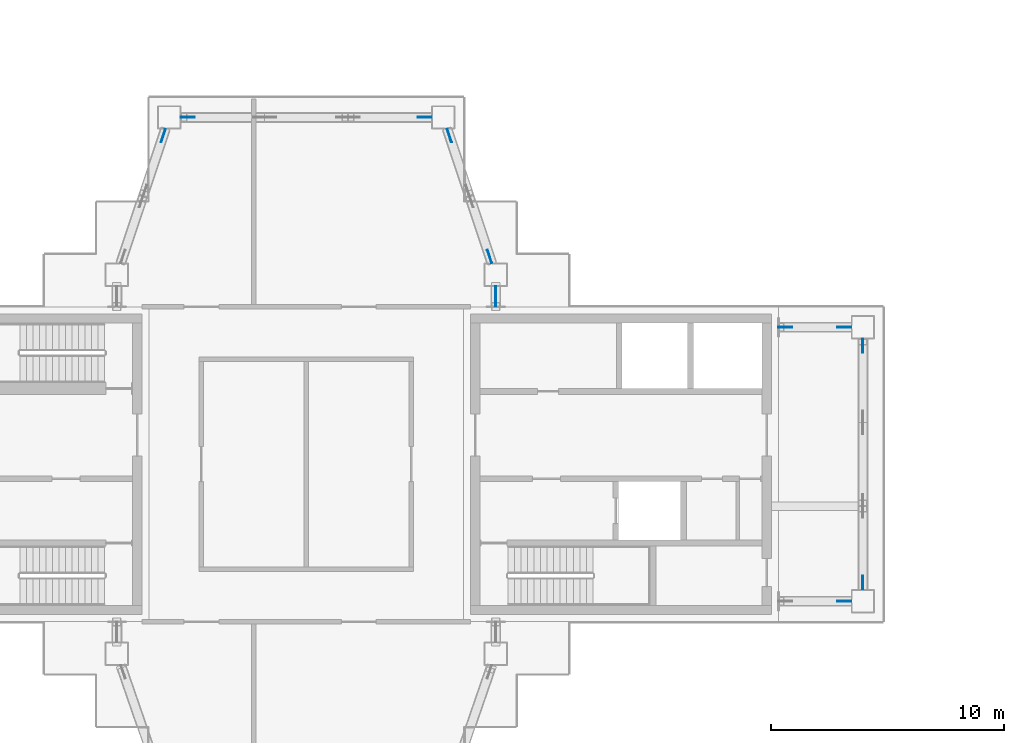
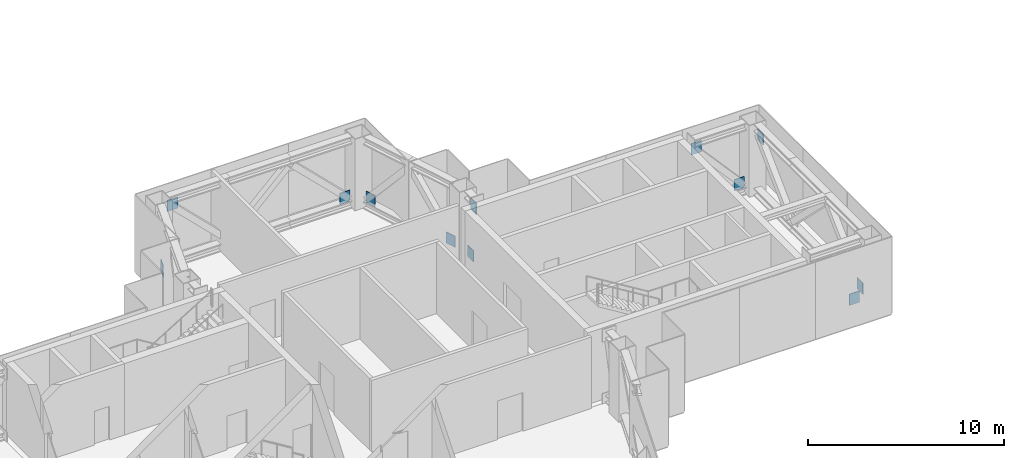
# One storey, part 14 of 18: 12 discrete accessories.
"""IFC4 building model written with IfcOpenShell, lengths in metres."""

from ifc_helpers import new_model, si_unit, direction, frame, origin, origin_2d, place, context, subcontext, project, spatial, rectangle, extrude, material, layer, layer_set, type_object, element, save


model = new_model("IFC4")

# Units and contexts
model_context = context("Model", 3, precision=1e-05, world=origin(), true_north=direction((0.0, 1.0)))
body_context = subcontext(model_context, "Body", "Model", "MODEL_VIEW")
ifc_project = project(units=[si_unit("LENGTHUNIT", "METRE"), si_unit("AREAUNIT", "SQUARE_METRE"), si_unit("VOLUMEUNIT", "CUBIC_METRE"), si_unit("PLANEANGLEUNIT", "RADIAN"), si_unit("MASSUNIT", "GRAM", prefix="KILO")], contexts=[model_context])

# Site, building, storey
site_placement = place(None, origin())
site = spatial("IfcSite", under=ifc_project, at=site_placement, CompositionType="ELEMENT")
building_placement = place(site_placement, origin())
building = spatial("IfcBuilding", under=site, at=building_placement, Name="Shamsa Quay Exchange Towers", CompositionType="ELEMENT")
storey_placement = place(building_placement, frame((0.0, 0.0, 225.60009765625)))
storey = spatial("IfcBuildingStorey", under=building, at=storey_placement, Name="L54", CompositionType="ELEMENT", Elevation=225.60009765625)

# Discrete accessories
ifc_material = material(Name="Steel S355", Category="steel")
ifc_layer = layer(ifc_material, 0.0400390625)
ifc_layer_set = layer_set([ifc_layer], Name="End plate 600x700x40")
discrete_accessory_type = type_object("IfcDiscreteAccessoryType", Name="End plate 600x700x40", PredefinedType="BRACKET", material=ifc_layer_set)
for number, where, z_axis, x_axis, name in (
    (1, (-10.675048828125, -5.875, 0.31494140625), (0.0, 0.0, 1.0), (-1.0, 0.0, 0.0), "End plate T1 L54"),
    (2, (-9.875, -5.074951171875, 0.31494140625), (0.0, 0.0, 1.0), (0.0, 1.0, 0.0), "End plate T1 L54"),
    (3, (-9.875, 5.074951171875, 3.43505859375), (0.0, 0.0, 1.0), (0.0, 1.0, 0.0), "End plate T1 L54"),
    (4, (-10.675048828125, 5.875, 0.31494140625), (0.0, 0.0, 1.0), (-1.0, 0.0, 0.0), "End plate T1 L54"),
    (5, (-13.199951171875, 5.875, 3.43505859375), (0.0, 0.0, 1.0), (-1.0, 0.0, 0.0), "End plate T1 L54"),
    (6, (-25.625, 7.324951171875, 0.31494140625), (0.0, 0.0, 1.0), (0.0, -1.0, 0.0), "End plate T1 L54"),
    (7, (-25.625, 7.050048828125, 3.43505859375), (0.0, 0.0, 1.0), (0.0, -1.0, 0.0), "End plate T1 L54"),
    (8, (-25.886474609375, 8.90966796875, 0.31494140625), (0.0, 0.0, 1.0), (-0.316227766018, 0.94868329805, 0.0), "End plate T1 L54"),
    (9, (-27.613525390625, 14.09033203125, 0.31494140625), (0.0, 0.0, 1.0), (-0.316227766018, 0.94868329805, 0.0), "End plate T1 L54"),
    (10, (-28.675048828125, 14.875, 0.31494140625), (0.0, 0.0, 1.0), (-1.0, 0.0, 0.0), "End plate T1 L54"),
    (11, (-38.824951171875, 14.875, 3.43505859375), (0.0, 0.0, 1.0), (-1.0, 0.0, 0.0), "End plate T1 L54"),
    (12, (-39.886474609375, 14.09033203125, 0.31494140625), (0.0, 0.0, 1.0), (-0.316227766018, -0.94868329805, 0.0), "End plate T1 L54"),
):
    element("IfcDiscreteAccessory", number, at=place(storey_placement, frame(where, z_axis=z_axis, x_axis=x_axis)), inside=storey, type_object=discrete_accessory_type, Name=name, PredefinedType="BRACKET", context=body_context, shape_type="SweptSolid", body=[
        extrude(rectangle(XDim=0.60009765625, YDim=0.0400390625, at=origin_2d()), origin(), (0.0, 0.0, 1.0), 0.699951171875),
    ])

save(model, "model.ifc")
